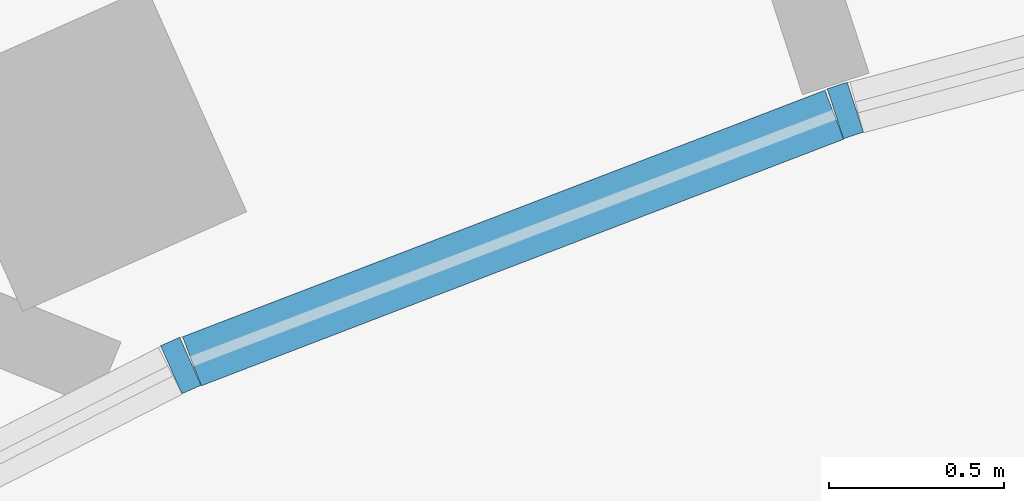
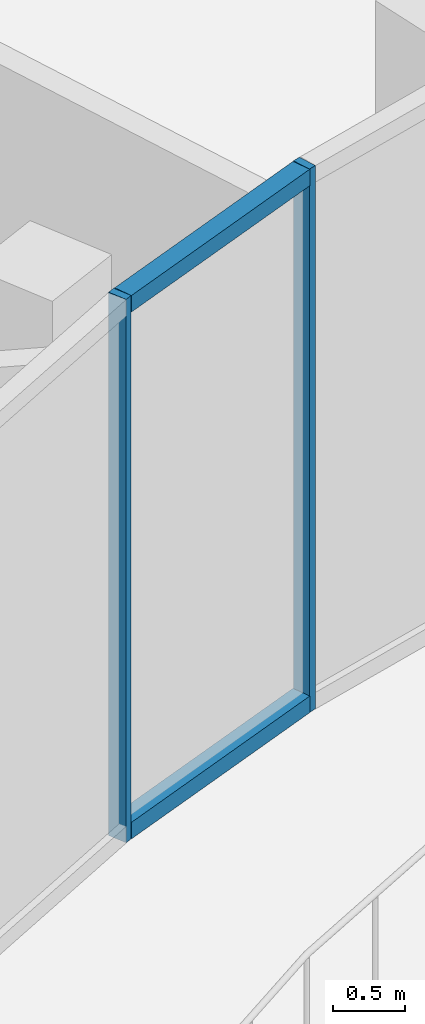
# One storey, part 5 of 40: 4 members, 1 element without a shape of its own.
"""IFC4 building model written with IfcOpenShell, lengths in metres."""

from ifc_helpers import new_model, si_unit, direction, frame, origin, origin_2d, place, context, subcontext, project, spatial, rectangle, extrude, material, layer, layer_set, material_profile, profile_set, type_object, element, aggregate, save


model = new_model("IFC4")

# Units and contexts
model_context = context("Model", 3, precision=1e-05, world=origin(), true_north=direction((0.0, 1.0)))
body_context = subcontext(model_context, "Body", "Model", "MODEL_VIEW")
ifc_project = project(units=[si_unit("LENGTHUNIT", "METRE"), si_unit("AREAUNIT", "SQUARE_METRE"), si_unit("VOLUMEUNIT", "CUBIC_METRE"), si_unit("PLANEANGLEUNIT", "RADIAN"), si_unit("MASSUNIT", "GRAM", prefix="KILO")], contexts=[model_context])

# Site, building, storey
site_placement = place(None, origin())
site = spatial("IfcSite", under=ifc_project, at=site_placement, CompositionType="ELEMENT")
building_placement = place(site_placement, origin())
building = spatial("IfcBuilding", under=site, at=building_placement, Name="Stone Belt Terrace Tower", CompositionType="ELEMENT")
storey_placement = place(building_placement, frame((0.0, 0.0, 7.0)))
storey = spatial("IfcBuildingStorey", under=building, at=storey_placement, Name="L01", CompositionType="ELEMENT", Elevation=7.0)

# Curtain wall, members
ifc_material = material(Name="Aluminium 6063-T6 anodised frame", Category="aluminium")
ifc_layer = layer(ifc_material, 0.14990234375)
ifc_layer_set = layer_set([ifc_layer], Name="CW-D podium shopfront")
curtain_wall_type = type_object("IfcCurtainWallType", Name="CW-D podium shopfront", PredefinedType="NOTDEFINED", material=ifc_layer_set)
curtain_wall_placement = place(storey_placement, origin())
curtain_wall = element("IfcCurtainWall", 1, at=curtain_wall_placement, inside=storey, type_object=curtain_wall_type, Name="CW-D concave face L01", PredefinedType="NOTDEFINED")
ifc_material_profile_1 = material_profile(ifc_material, rectangle(XDim=0.14990234375, YDim=0.06005859375, at=origin_2d()), Name="Aluminium 6063-T6 60x150")
ifc_profile_set_1 = profile_set([ifc_material_profile_1], Name="Aluminium 6063-T6 anodised frame")
member_type_1 = type_object("IfcMemberType", Name="CW-D mullion 60 x 150", PredefinedType="MULLION", material=ifc_profile_set_1)
member_1_placement = place(storey_placement, frame((-7.90087890625, 17.74560546875, 0.0), z_axis=(0.0, 0.0, 1.0), x_axis=(-0.406736643076, 0.913545457643, 0.0)))
member_1 = element("IfcMember", 2, at=member_1_placement, type_object=member_type_1, Name="CW-D mullion 7", PredefinedType="MULLION", context=body_context, shape_type="SweptSolid", body=[
    extrude(rectangle(XDim=0.14990234375, YDim=0.06005859375, at=origin_2d()), origin(), (0.0, 0.0, 1.0), 4.60009765625),
])
member_2_placement = place(storey_placement, frame((-6.002685546875, 18.47412109375, 0.0), z_axis=(0.0, 0.0, 1.0), x_axis=(-0.309016994375, 0.951056516295, 0.0)))
member_2 = element("IfcMember", 3, at=member_2_placement, type_object=member_type_1, Name="CW-D mullion 8", PredefinedType="MULLION", context=body_context, shape_type="SweptSolid", body=[
    extrude(rectangle(XDim=0.14990234375, YDim=0.06005859375, at=origin_2d()), origin(), (0.0, 0.0, 1.0), 4.60009765625),
])
ifc_material_profile_2 = material_profile(ifc_material, rectangle(XDim=0.14990234375, YDim=0.139892578125, at=origin_2d()), Name="Aluminium 6063-T6 150x140")
ifc_profile_set_2 = profile_set([ifc_material_profile_2], Name="Aluminium 6063-T6 anodised frame")
member_type_2 = type_object("IfcMemberType", Name="CW-D transom 140 x 150", PredefinedType="USERDEFINED", material=ifc_profile_set_2)
member_3_placement = place(storey_placement, frame((-7.869140625, 17.757568359375, 0.070068359375), z_axis=(0.933585500034, 0.358354732251, 0.0), x_axis=(-0.358354732251, 0.933585500034, 0.0)))
member_3 = element("IfcMember", 4, at=member_3_placement, type_object=member_type_2, Name="CW-D transom 7.1", ObjectType="TRANSOM", PredefinedType="USERDEFINED", context=body_context, shape_type="SweptSolid", body=[
    extrude(rectangle(XDim=0.14990234375, YDim=0.139892578125, at=origin_2d()), origin(), (0.0, 0.0, 1.0), 1.965576171875),
])
member_4_placement = place(storey_placement, frame((-7.869140625, 17.757568359375, 4.530029296875), z_axis=(0.933585500034, 0.358354732251, 0.0), x_axis=(-0.358354732251, 0.933585500034, 0.0)))
member_4 = element("IfcMember", 5, at=member_4_placement, type_object=member_type_2, Name="CW-D transom 7.2", ObjectType="TRANSOM", PredefinedType="USERDEFINED", context=body_context, shape_type="SweptSolid", body=[
    extrude(rectangle(XDim=0.14990234375, YDim=0.139892578125, at=origin_2d()), origin(), (0.0, 0.0, 1.0), 1.965576171875),
])
aggregate(curtain_wall, [member_1, member_2, member_3, member_4])

save(model, "model.ifc")
